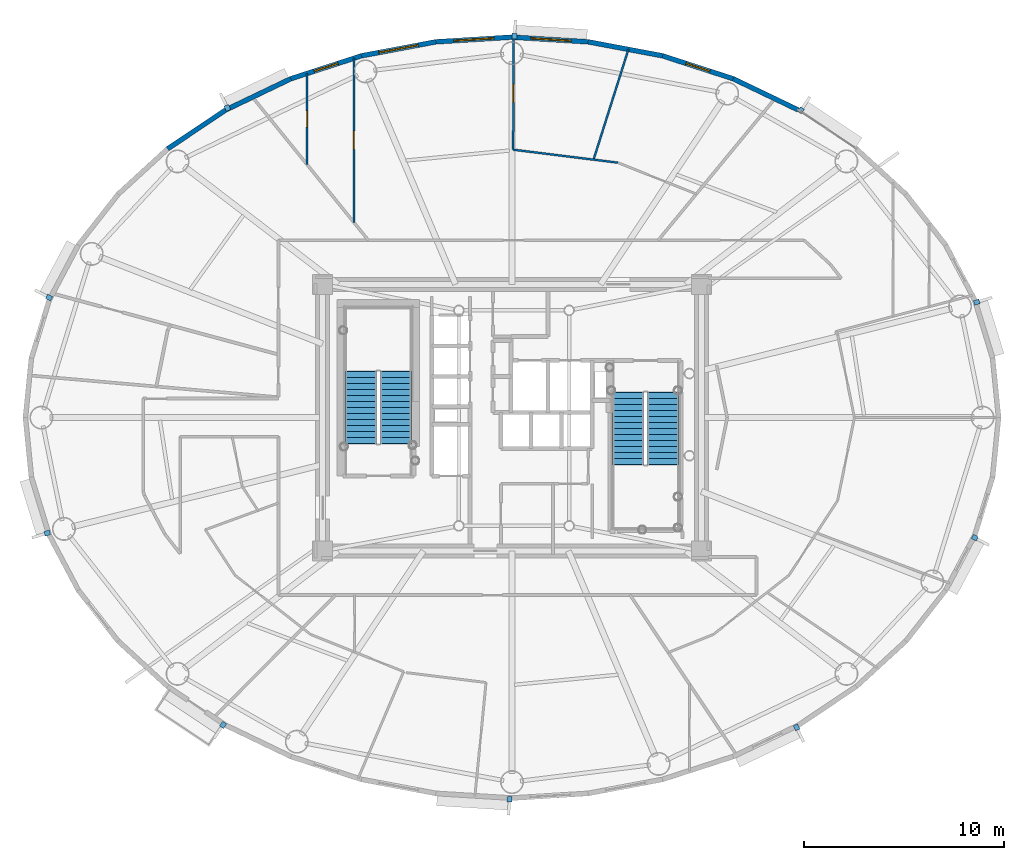
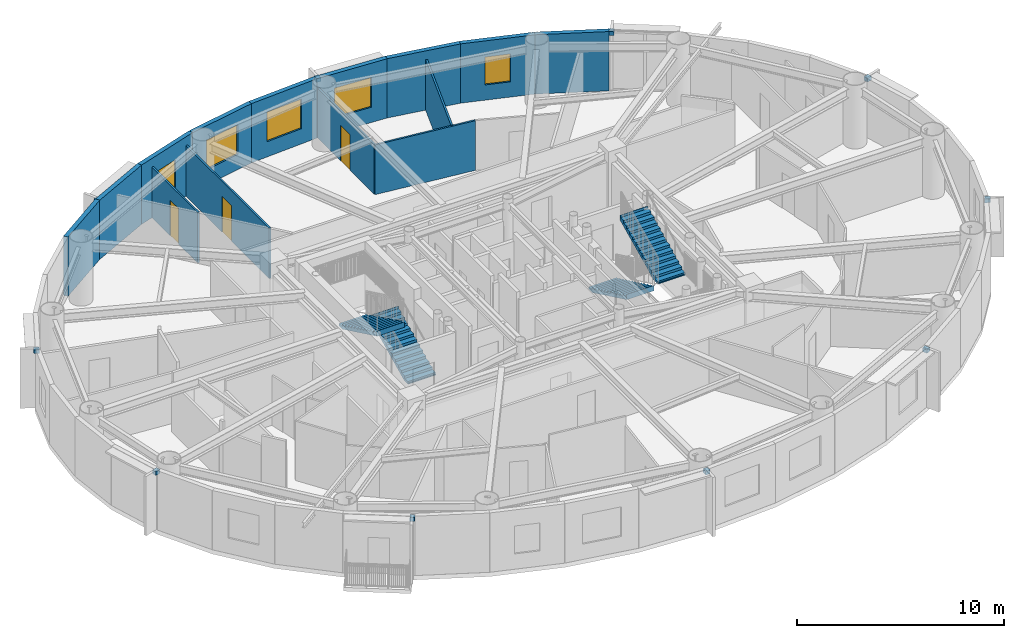
# One storey, part 11 of 18: 14 walls, 10 discrete accessories, 5 windows, 4 stair flights, 3 doors, 8 openings, 2 elements without a shape of their own.
"""IFC4 building model written with IfcOpenShell, lengths in metres."""

from ifc_helpers import new_model, si_unit, direction, frame, frame_2d, origin, origin_2d, place, context, subcontext, project, spatial, polyline, rectangle, outline, extrude, source, transform, mapped, material, layer, layer_set, type_object, element, fill, aggregate, save


model = new_model("IFC4")

# Units and contexts
model_context = context("Model", 3, precision=1e-05, world=origin(), true_north=direction((0.0, 1.0)))
body_context = subcontext(model_context, "Body", "Model", "MODEL_VIEW")
ifc_project = project(units=[si_unit("LENGTHUNIT", "METRE"), si_unit("AREAUNIT", "SQUARE_METRE"), si_unit("VOLUMEUNIT", "CUBIC_METRE"), si_unit("PLANEANGLEUNIT", "RADIAN"), si_unit("MASSUNIT", "GRAM", prefix="KILO")], contexts=[model_context])

# Site, building, storey
site_placement = place(None, origin())
site = spatial("IfcSite", under=ifc_project, at=site_placement, CompositionType="ELEMENT")
building_placement = place(site_placement, origin())
building = spatial("IfcBuilding", under=site, at=building_placement, Name="Linh Dai School and Residence Tower", CompositionType="ELEMENT")
storey_placement = place(building_placement, frame((0.0, 0.0, 244.050048828125)))
storey = spatial("IfcBuildingStorey", under=building, at=storey_placement, Name="L60", CompositionType="ELEMENT", Elevation=244.050048828125)

# Wall
ifc_material_1 = material(Name="Precast Concrete B45 (C35/45)", Category="concrete")
ifc_layer_1 = layer(ifc_material_1, 0.239990234375)
ifc_layer_set_1 = layer_set([ifc_layer_1], Name="Precast Concrete B45 (C35/45)")
wall_type_1 = type_object("IfcWallType", Name="EW-TC-240", PredefinedType="SOLIDWALL", material=ifc_layer_set_1)
wall_1_placement = place(storey_placement, frame((47.031005859375, 43.906494140625, 0.0), z_axis=(0.0, 0.0, 1.0), x_axis=(0.901598104751, -0.432574684313, 0.0)))
element("IfcWall", 1, at=wall_1_placement, inside=storey, type_object=wall_type_1, Name="L60 Terracotta Exterior Wall 07", PredefinedType="SOLIDWALL", context=body_context, shape_type="SweptSolid", body=[
    extrude(rectangle(XDim=3.603515625, YDim=0.239990234375, at=frame_2d((1.8017578125, 0.0))), origin(), (0.0, 0.0, 1.0), 3.5),
])

# Wall, opening, window
wall_2_placement = place(storey_placement, frame((43.50927734375, 45.048828125, 0.0), z_axis=(0.0, 0.0, 1.0), x_axis=(0.951210789182, -0.308541787354, 0.0)))
wall_2 = element("IfcWall", 2, at=wall_2_placement, inside=storey, type_object=wall_type_1, Name="L60 Terracotta Exterior Wall 08", PredefinedType="SOLIDWALL", context=body_context, shape_type="SweptSolid", body=[
    extrude(rectangle(XDim=3.702392578125, YDim=0.239990234375, at=frame_2d((1.85107421875, 0.0))), origin(), (0.0, 0.0, 1.0), 3.5),
])
opening_1_placement = place(wall_2_placement, frame((1.226318359375, 0.0, 0.89990234375)))
opening_1 = element("IfcOpeningElement", 3, at=opening_1_placement, cuts=wall_2, Name="Opening W3", PredefinedType="OPENING", context=body_context, shape_type="SweptSolid", body=[
    extrude(rectangle(XDim=1.25, YDim=1.64990234375, at=origin_2d()), frame((0.625, 0.1298828125, 0.824951171875), z_axis=(0.0, -1.0, 0.0), x_axis=(1.0, 0.0, 0.0)), (0.0, 0.0, 1.0), 0.260009765625),
])
ifc_material_2 = material(Name="Double Low-E Insulated Glazing", Category="glass")
window_type_1 = type_object("IfcWindowType", Name="WN-RES-1250x1650", PartitioningType="SINGLE_PANEL", PredefinedType="WINDOW", material=ifc_material_2)
shared_shape_1 = source(origin(), body_context, "Body", "SweptSolid", [
    extrude(rectangle(XDim=1.25, YDim=1.64990234375, at=origin_2d()), frame((0.625, 0.030029296875, 0.824951171875), z_axis=(0.0, -1.0, 0.0), x_axis=(1.0, 0.0, 0.0)), (0.0, 0.0, 1.0), 0.06005859375),
])
window_1_placement = place(opening_1_placement, origin())
window_1 = element("IfcWindow", 4, at=window_1_placement, inside=storey, type_object=window_type_1, Name="L60 Dwelling Window U6004-BD1", OverallHeight=1.64990234375, OverallWidth=1.25, PartitioningType="SINGLE_PANEL", PredefinedType="WINDOW", context=body_context, shape_type="MappedRepresentation", body=[
    mapped(shared_shape_1, transform((0.0, 0.0, 0.0), x_axis=(1.0, 0.0, 0.0), y_axis=(0.0, 1.0, 0.0), z_axis=(0.0, 0.0, 1.0), scale=1.0)),
])
fill(opening_1, window_1)

# Wall
wall_3_placement = place(storey_placement, frame((39.801513671875, 45.745849609375, 0.0), z_axis=(0.0, 0.0, 1.0), x_axis=(0.982784898575, -0.184753465822, 0.0)))
element("IfcWall", 5, at=wall_3_placement, inside=storey, type_object=wall_type_1, Name="L60 Terracotta Exterior Wall 09", PredefinedType="SOLIDWALL", context=body_context, shape_type="SweptSolid", body=[
    extrude(rectangle(XDim=3.772705078125, YDim=0.239990234375, at=frame_2d((1.88623046875, 0.0))), origin(), (0.0, 0.0, 1.0), 3.5),
])

# Wall, opening, window
wall_4_placement = place(storey_placement, frame((36.0, 45.97998046875, 0.0), z_axis=(0.0, 0.0, 1.0), x_axis=(0.998108785312, -0.06147237333, 0.0)))
wall_4 = element("IfcWall", 6, at=wall_4_placement, inside=storey, type_object=wall_type_1, Name="L60 Terracotta Exterior Wall 10", PredefinedType="SOLIDWALL", context=body_context, shape_type="SweptSolid", body=[
    extrude(rectangle(XDim=3.808837890625, YDim=0.239990234375, at=frame_2d((1.904296875, 0.0))), origin(), (0.0, 0.0, 1.0), 3.5),
])
opening_2_placement = place(wall_4_placement, frame((0.945556640625, 0.0, 0.89990234375)))
opening_2 = element("IfcOpeningElement", 7, at=opening_2_placement, cuts=wall_4, Name="Opening W1", PredefinedType="OPENING", context=body_context, shape_type="SweptSolid", body=[
    extrude(rectangle(XDim=2.0, YDim=1.75, at=origin_2d()), frame((1.0, 0.1298828125, 0.875), z_axis=(0.0, -1.0, 0.0), x_axis=(1.0, 0.0, 0.0)), (0.0, 0.0, 1.0), 0.260009765625),
])
window_type_2 = type_object("IfcWindowType", Name="WN-RES-2000x1750", PartitioningType="DOUBLE_PANEL_VERTICAL", PredefinedType="WINDOW", material=ifc_material_2)
shared_shape_2 = source(origin(), body_context, "Body", "SweptSolid", [
    extrude(rectangle(XDim=2.0, YDim=1.75, at=origin_2d()), frame((1.0, 0.030029296875, 0.875), z_axis=(0.0, -1.0, 0.0), x_axis=(1.0, 0.0, 0.0)), (0.0, 0.0, 1.0), 0.06005859375),
])
window_2_placement = place(opening_2_placement, origin())
window_2 = element("IfcWindow", 8, at=window_2_placement, inside=storey, type_object=window_type_2, Name="L60 Exterior Window 10.1", OverallHeight=1.75, OverallWidth=2.0, PartitioningType="DOUBLE_PANEL_VERTICAL", PredefinedType="WINDOW", context=body_context, shape_type="MappedRepresentation", body=[
    mapped(shared_shape_2, transform((0.0, 0.0, 0.0), x_axis=(1.0, 0.0, 0.0), y_axis=(0.0, 1.0, 0.0), z_axis=(0.0, 0.0, 1.0), scale=1.0)),
])
fill(opening_2, window_2)

wall_5_placement = place(storey_placement, frame((32.198486328125, 45.745849609375, 0.0), z_axis=(0.0, 0.0, 1.0), x_axis=(0.998108785312, 0.06147237333, 0.0)))
wall_5 = element("IfcWall", 9, at=wall_5_placement, inside=storey, type_object=wall_type_1, Name="L60 Terracotta Exterior Wall 11", PredefinedType="SOLIDWALL", context=body_context, shape_type="SweptSolid", body=[
    extrude(rectangle(XDim=3.808837890625, YDim=0.239990234375, at=frame_2d((1.904296875, 0.0))), origin(), (0.0, 0.0, 1.0), 3.5),
])
opening_3_placement = place(wall_5_placement, frame((0.904541015625, 0.0, 0.89990234375)))
opening_3 = element("IfcOpeningElement", 10, at=opening_3_placement, cuts=wall_5, Name="Opening W1", PredefinedType="OPENING", context=body_context, shape_type="SweptSolid", body=[
    extrude(rectangle(XDim=2.0, YDim=1.75, at=origin_2d()), frame((1.0, 0.1298828125, 0.875), z_axis=(0.0, -1.0, 0.0), x_axis=(1.0, 0.0, 0.0)), (0.0, 0.0, 1.0), 0.260009765625),
])
window_3_placement = place(opening_3_placement, origin())
window_3 = element("IfcWindow", 11, at=window_3_placement, inside=storey, type_object=window_type_2, Name="L60 Exterior Window 11.1", OverallHeight=1.75, OverallWidth=2.0, PartitioningType="DOUBLE_PANEL_VERTICAL", PredefinedType="WINDOW", context=body_context, shape_type="MappedRepresentation", body=[
    mapped(shared_shape_2, transform((0.0, 0.0, 0.0), x_axis=(1.0, 0.0, 0.0), y_axis=(0.0, 1.0, 0.0), z_axis=(0.0, 0.0, 1.0), scale=1.0)),
])
fill(opening_3, window_3)

wall_6_placement = place(storey_placement, frame((28.49072265625, 45.048828125, 0.0), z_axis=(0.0, 0.0, 1.0), x_axis=(0.982784898575, 0.184753465822, 0.0)))
wall_6 = element("IfcWall", 12, at=wall_6_placement, inside=storey, type_object=wall_type_1, Name="L60 Terracotta Exterior Wall 12", PredefinedType="SOLIDWALL", context=body_context, shape_type="SweptSolid", body=[
    extrude(rectangle(XDim=3.772705078125, YDim=0.239990234375, at=frame_2d((1.88623046875, 0.0))), origin(), (0.0, 0.0, 1.0), 3.5),
])
opening_4_placement = place(wall_6_placement, frame((0.88623046875, 0.0, 0.89990234375)))
opening_4 = element("IfcOpeningElement", 13, at=opening_4_placement, cuts=wall_6, Name="Opening W1", PredefinedType="OPENING", context=body_context, shape_type="SweptSolid", body=[
    extrude(rectangle(XDim=2.0, YDim=1.75, at=origin_2d()), frame((1.0, 0.1298828125, 0.875), z_axis=(0.0, -1.0, 0.0), x_axis=(1.0, 0.0, 0.0)), (0.0, 0.0, 1.0), 0.260009765625),
])
window_4_placement = place(opening_4_placement, origin())
window_4 = element("IfcWindow", 14, at=window_4_placement, inside=storey, type_object=window_type_2, Name="L60 Exterior Window 12.1", OverallHeight=1.75, OverallWidth=2.0, PartitioningType="DOUBLE_PANEL_VERTICAL", PredefinedType="WINDOW", context=body_context, shape_type="MappedRepresentation", body=[
    mapped(shared_shape_2, transform((0.0, 0.0, 0.0), x_axis=(1.0, 0.0, 0.0), y_axis=(0.0, 1.0, 0.0), z_axis=(0.0, 0.0, 1.0), scale=1.0)),
])
fill(opening_4, window_4)

wall_7_placement = place(storey_placement, frame((24.968994140625, 43.906494140625, 0.0), z_axis=(0.0, 0.0, 1.0), x_axis=(0.951210789182, 0.308541787354, 0.0)))
wall_7 = element("IfcWall", 15, at=wall_7_placement, inside=storey, type_object=wall_type_1, Name="L60 Terracotta Exterior Wall 13", PredefinedType="SOLIDWALL", context=body_context, shape_type="SweptSolid", body=[
    extrude(rectangle(XDim=3.702392578125, YDim=0.239990234375, at=frame_2d((1.85107421875, 0.0))), origin(), (0.0, 0.0, 1.0), 3.5),
])
opening_5_placement = place(wall_7_placement, frame((1.223388671875, 0.0, 0.89990234375)))
opening_5 = element("IfcOpeningElement", 16, at=opening_5_placement, cuts=wall_7, Name="Opening W3", PredefinedType="OPENING", context=body_context, shape_type="SweptSolid", body=[
    extrude(rectangle(XDim=1.25, YDim=1.64990234375, at=origin_2d()), frame((0.625, 0.1298828125, 0.824951171875), z_axis=(0.0, -1.0, 0.0), x_axis=(1.0, 0.0, 0.0)), (0.0, 0.0, 1.0), 0.260009765625),
])
window_5_placement = place(opening_5_placement, origin())
window_5 = element("IfcWindow", 17, at=window_5_placement, inside=storey, type_object=window_type_1, Name="L60 Exterior Window 13.1", OverallHeight=1.64990234375, OverallWidth=1.25, PartitioningType="SINGLE_PANEL", PredefinedType="WINDOW", context=body_context, shape_type="MappedRepresentation", body=[
    mapped(shared_shape_1, transform((0.0, 0.0, 0.0), x_axis=(1.0, 0.0, 0.0), y_axis=(0.0, 1.0, 0.0), z_axis=(0.0, 0.0, 1.0), scale=1.0)),
])
fill(opening_5, window_5)

# Walls
wall_8_placement = place(storey_placement, frame((21.719970703125, 42.34765625, 0.0), z_axis=(0.0, 0.0, 1.0), x_axis=(0.901598104751, 0.432574684313, 0.0)))
element("IfcWall", 18, at=wall_8_placement, inside=storey, type_object=wall_type_1, Name="L60 Terracotta Exterior Wall 14", PredefinedType="SOLIDWALL", context=body_context, shape_type="SweptSolid", body=[
    extrude(rectangle(XDim=3.603515625, YDim=0.239990234375, at=frame_2d((1.8017578125, 0.0))), origin(), (0.0, 0.0, 1.0), 3.5),
])
wall_9_placement = place(storey_placement, frame((18.82373046875, 40.410888671875, 0.0), z_axis=(0.0, 0.0, 1.0), x_axis=(0.831262496074, 0.555880079352, 0.0)))
element("IfcWall", 19, at=wall_9_placement, inside=storey, type_object=wall_type_1, Name="L60 Terracotta Exterior Wall 15", PredefinedType="SOLIDWALL", context=body_context, shape_type="SweptSolid", body=[
    extrude(rectangle(XDim=3.484130859375, YDim=0.239990234375, at=frame_2d((1.7421875, 0.0))), origin(), (0.0, 0.0, 1.0), 3.5),
])

# Wall, opening, door
ifc_material_3 = material(Name="Gypsum Plasterboard Acoustic Stud Partition", Category="masonry")
ifc_layer_2 = layer(ifc_material_3, 0.10009765625)
ifc_layer_set_2 = layer_set([ifc_layer_2], Name="Gypsum Plasterboard Acoustic Stud Partition")
wall_type_2 = type_object("IfcWallType", Name="IW-UNIT-100", PredefinedType="PARTITIONING", material=ifc_layer_set_2)
wall_10_placement = place(storey_placement, frame((25.78173828125, 39.61865234375, 0.0), z_axis=(0.0, 0.0, 1.0), x_axis=(0.0, 1.0, 0.0)))
wall_10 = element("IfcWall", 20, at=wall_10_placement, inside=storey, type_object=wall_type_2, Name="L60 Interior Partition Wall 023", PredefinedType="PARTITIONING", context=body_context, shape_type="SweptSolid", body=[
    extrude(rectangle(XDim=4.556640625, YDim=0.10009765625, at=frame_2d((2.2783203125, 0.0))), origin(), (0.0, 0.0, 1.0), 2.98486328125),
])
opening_6_placement = place(wall_10_placement, frame((1.868408203125, 0.0, 0.0)))
opening_6 = element("IfcOpeningElement", 21, at=opening_6_placement, cuts=wall_10, Name="Opening D06", PredefinedType="OPENING", context=body_context, shape_type="SweptSolid", body=[
    extrude(rectangle(XDim=0.820068359375, YDim=2.10009765625, at=origin_2d()), frame((0.41015625, 0.06005859375, 1.050048828125), z_axis=(0.0, -1.0, 0.0), x_axis=(1.0, 0.0, 0.0)), (0.0, 0.0, 1.0), 0.1201171875),
])
ifc_material_4 = material(Name="Moisture-Resistant Timber Bathroom Door", Category="wood")
door_type_1 = type_object("IfcDoorType", Name="DR-WET-820x2100", OperationType="NOTDEFINED", PredefinedType="DOOR", material=ifc_material_4)
shared_shape_3 = source(origin(), body_context, "Body", "SweptSolid", [
    extrude(rectangle(XDim=0.820068359375, YDim=2.10009765625, at=origin_2d()), frame((0.41015625, 0.02490234375, 1.050048828125), z_axis=(0.0, -1.0, 0.0), x_axis=(1.0, 0.0, 0.0)), (0.0, 0.0, 1.0), 0.050048828125),
])
door_1_placement = place(opening_6_placement, origin())
door_1 = element("IfcDoor", 22, at=door_1_placement, inside=storey, type_object=door_type_1, Name="L60 Apartment U6004 Bathroom 1 Door", OperationType="SINGLE_SWING_RIGHT", OverallHeight=2.10009765625, OverallWidth=0.820068359375, PredefinedType="DOOR", context=body_context, shape_type="MappedRepresentation", body=[
    mapped(shared_shape_3, transform((0.0, 0.0, 0.0), x_axis=(1.0, 0.0, 0.0), y_axis=(0.0, 1.0, 0.0), z_axis=(0.0, 0.0, 1.0), scale=1.0)),
])
fill(opening_6, door_1)

wall_11_placement = place(storey_placement, frame((28.111328125, 36.74169921875, 0.0), z_axis=(0.0, 0.0, 1.0), x_axis=(0.0, 1.0, 0.0)))
wall_11 = element("IfcWall", 23, at=wall_11_placement, inside=storey, type_object=wall_type_2, Name="L60 Interior Partition Wall 026", PredefinedType="PARTITIONING", context=body_context, shape_type="SweptSolid", body=[
    extrude(rectangle(XDim=8.189208984375, YDim=0.10009765625, at=frame_2d((4.0947265625, 0.0))), origin(), (0.0, 0.0, 1.0), 2.98486328125),
])
opening_7_placement = place(wall_11_placement, frame((3.644775390625, 0.0, 0.0)))
opening_7 = element("IfcOpeningElement", 24, at=opening_7_placement, cuts=wall_11, Name="Opening D05", PredefinedType="OPENING", context=body_context, shape_type="SweptSolid", body=[
    extrude(rectangle(XDim=0.89990234375, YDim=2.10009765625, at=origin_2d()), frame((0.449951171875, 0.06005859375, 1.050048828125), z_axis=(0.0, -1.0, 0.0), x_axis=(1.0, 0.0, 0.0)), (0.0, 0.0, 1.0), 0.1201171875),
])
ifc_material_5 = material(Name="Engineered Timber Internal Door", Category="wood")
door_type_2 = type_object("IfcDoorType", Name="DR-INT-900x2100", OperationType="NOTDEFINED", PredefinedType="DOOR", material=ifc_material_5)
shared_shape_4 = source(origin(), body_context, "Body", "SweptSolid", [
    extrude(rectangle(XDim=0.89990234375, YDim=2.10009765625, at=origin_2d()), frame((0.449951171875, 0.02490234375, 1.050048828125), z_axis=(0.0, -1.0, 0.0), x_axis=(1.0, 0.0, 0.0)), (0.0, 0.0, 1.0), 0.050048828125),
])
door_2_placement = place(opening_7_placement, origin())
door_2 = element("IfcDoor", 25, at=door_2_placement, inside=storey, type_object=door_type_2, Name="L60 Apartment U6004 Kitchen Door", OperationType="SINGLE_SWING_LEFT", OverallHeight=2.10009765625, OverallWidth=0.89990234375, PredefinedType="DOOR", context=body_context, shape_type="MappedRepresentation", body=[
    mapped(shared_shape_4, transform((0.0, 0.0, 0.0), x_axis=(1.0, 0.0, 0.0), y_axis=(0.0, 1.0, 0.0), z_axis=(0.0, 0.0, 1.0), scale=1.0)),
])
fill(opening_7, door_2)

wall_12_placement = place(storey_placement, frame((36.058349609375, 40.3662109375, 0.0), z_axis=(0.0, 0.0, 1.0), x_axis=(0.004348919472, 0.999990543405, 0.0)))
wall_12 = element("IfcWall", 26, at=wall_12_placement, inside=storey, type_object=wall_type_2, Name="L60 Interior Partition Wall 052", PredefinedType="PARTITIONING", context=body_context, shape_type="SweptSolid", body=[
    extrude(rectangle(XDim=5.61376953125, YDim=0.10009765625, at=frame_2d((2.806884765625, 0.0))), origin(), (0.0, 0.0, 1.0), 2.93505859375),
])
opening_8_placement = place(wall_12_placement, frame((2.356689453125, 0.0, 0.0)))
opening_8 = element("IfcOpeningElement", 27, at=opening_8_placement, cuts=wall_12, Name="Opening D05", PredefinedType="OPENING", context=body_context, shape_type="SweptSolid", body=[
    extrude(rectangle(XDim=0.89990234375, YDim=2.10009765625, at=origin_2d()), frame((0.449951171875, 0.06005859375, 1.050048828125), z_axis=(0.0, -1.0, 0.0), x_axis=(1.0, 0.0, 0.0)), (0.0, 0.0, 1.0), 0.1201171875),
])
door_3_placement = place(opening_8_placement, origin())
door_3 = element("IfcDoor", 28, at=door_3_placement, inside=storey, type_object=door_type_2, Name="L60 Apartment U6004 Study Door", OperationType="SINGLE_SWING_RIGHT", OverallHeight=2.10009765625, OverallWidth=0.89990234375, PredefinedType="DOOR", context=body_context, shape_type="MappedRepresentation", body=[
    mapped(shared_shape_4, transform((0.0, 0.0, 0.0), x_axis=(1.0, 0.0, 0.0), y_axis=(0.0, 1.0, 0.0), z_axis=(0.0, 0.0, 1.0), scale=1.0)),
])
fill(opening_8, door_3)

# Walls
wall_13_placement = place(storey_placement, frame((36.058349609375, 40.3662109375, 0.0), z_axis=(0.0, 0.0, 1.0), x_axis=(0.9924002173, -0.123052056879, 0.0)))
element("IfcWall", 29, at=wall_13_placement, inside=storey, type_object=wall_type_2, Name="L60 Interior Partition Wall 053", PredefinedType="PARTITIONING", context=body_context, shape_type="SweptSolid", body=[
    extrude(rectangle(XDim=5.259765625, YDim=0.10009765625, at=frame_2d((2.6298828125, 0.0))), origin(), (0.0, 0.0, 1.0), 2.93505859375),
])
wall_14_placement = place(storey_placement, frame((40.06787109375, 39.868896484375, 0.0), z_axis=(0.0, 0.0, 1.0), x_axis=(0.301434937635, 0.953486747875, 0.0)))
element("IfcWall", 30, at=wall_14_placement, inside=storey, type_object=wall_type_2, Name="L60 Interior Partition Wall 062", PredefinedType="PARTITIONING", context=body_context, shape_type="SweptSolid", body=[
    extrude(rectangle(XDim=5.773193359375, YDim=0.10009765625, at=frame_2d((2.88671875, 0.0))), origin(), (0.0, 0.0, 1.0), 2.98486328125),
])

# Stair, stair flights
ifc_material_6 = material(Name="Concrete B45 (C35/45)", Category="concrete")
stair_type = type_object("IfcStairType", Name="ST-DOG-1550-R1442", PredefinedType="HALF_TURN_STAIR", material=ifc_material_6)
stair_1_placement = place(storey_placement, origin())
stair_1 = element("IfcStair", 31, at=stair_1_placement, inside=storey, type_object=stair_type, Name="L60 Core Smokeproof Exit Stair ST1", PredefinedType="HALF_TURN_STAIR")
stair_flight_type = type_object("IfcStairFlightType", Name="STF-STR-1550-R1442", PredefinedType="STRAIGHT", material=ifc_material_6)
shared_shape_5 = source(origin(), body_context, "Body", "SweptSolid", [
    extrude(outline(polyline([(-0.02490234375, 0.0), (-0.02490234375, 0.06005859375), (0.0, 0.06005859375), (0.0, 0.144287109375), (0.300048828125, 0.144287109375), (0.300048828125, 0.28857421875), (0.60009765625, 0.28857421875), (0.60009765625, 0.4326171875), (0.89990234375, 0.4326171875), (0.89990234375, 0.576904296875), (1.199951171875, 0.576904296875), (1.199951171875, 0.72119140625), (1.5, 0.72119140625), (1.5, 0.865478515625), (1.800048828125, 0.865478515625), (1.800048828125, 1.009521484375), (2.10009765625, 1.009521484375), (2.10009765625, 1.15380859375), (2.39990234375, 1.15380859375), (2.39990234375, 1.298095703125), (2.699951171875, 1.298095703125), (2.699951171875, 1.4423828125), (3.0, 1.4423828125), (3.0, 1.58642578125), (3.300048828125, 1.58642578125), (3.300048828125, 1.730712890625), (3.60009765625, 1.730712890625), (3.60009765625, 1.875), (3.625, 1.875), (3.625, 1.564453125), (3.60009765625, 1.564453125), (0.345947265625, 0.0), (-0.02490234375, 0.0)])), frame((0.0, 0.77490234375, 0.0), z_axis=(0.0, -1.0, 0.0), x_axis=(1.0, 0.0, 0.0)), (0.0, 0.0, 1.0), 1.550048828125),
])
stair_flight_1_placement = place(storey_placement, frame((30.205078125, 25.699951171875, 0.0), z_axis=(0.0, 0.0, 1.0), x_axis=(0.0, 1.0, 0.0)))
stair_flight_1 = element("IfcStairFlight", 32, at=stair_flight_1_placement, type_object=stair_flight_type, Name="ST1 flight 1", NumberOfRisers=13, NumberOfTreads=12, PredefinedType="STRAIGHT", RiserHeight=0.144230769, TreadLength=0.3, context=body_context, shape_type="MappedRepresentation", body=[
    mapped(shared_shape_5, transform((0.0, 0.0, 0.0), x_axis=(1.0, 0.0, 0.0), y_axis=(0.0, 1.0, 0.0), z_axis=(0.0, 0.0, 1.0), scale=1.0)),
])
stair_flight_2_placement = place(storey_placement, frame((28.455078125, 29.300048828125, 1.875), z_axis=(0.0, 0.0, 1.0), x_axis=(0.0, -1.0, 0.0)))
stair_flight_2 = element("IfcStairFlight", 33, at=stair_flight_2_placement, type_object=stair_flight_type, Name="ST1 flight 2", NumberOfRisers=13, NumberOfTreads=12, PredefinedType="STRAIGHT", RiserHeight=0.144230769, TreadLength=0.3, context=body_context, shape_type="MappedRepresentation", body=[
    mapped(shared_shape_5, transform((0.0, 0.0, 0.0), x_axis=(1.0, 0.0, 0.0), y_axis=(0.0, 1.0, 0.0), z_axis=(0.0, 0.0, 1.0), scale=1.0)),
])
aggregate(stair_1, [stair_flight_1, stair_flight_2])

stair_2_placement = place(storey_placement, origin())
stair_2 = element("IfcStair", 34, at=stair_2_placement, inside=storey, type_object=stair_type, Name="L60 Core Smokeproof Exit Stair ST2", PredefinedType="HALF_TURN_STAIR")
stair_flight_3_placement = place(storey_placement, frame((41.794921875, 28.25, 0.0), z_axis=(0.0, 0.0, 1.0), x_axis=(0.0, -1.0, 0.0)))
stair_flight_3 = element("IfcStairFlight", 35, at=stair_flight_3_placement, type_object=stair_flight_type, Name="ST2 flight 1", NumberOfRisers=13, NumberOfTreads=12, PredefinedType="STRAIGHT", RiserHeight=0.144230769, TreadLength=0.3, context=body_context, shape_type="MappedRepresentation", body=[
    mapped(shared_shape_5, transform((0.0, 0.0, 0.0), x_axis=(1.0, 0.0, 0.0), y_axis=(0.0, 1.0, 0.0), z_axis=(0.0, 0.0, 1.0), scale=1.0)),
])
stair_flight_4_placement = place(storey_placement, frame((43.544921875, 24.64990234375, 1.875), z_axis=(0.0, 0.0, 1.0), x_axis=(0.0, 1.0, 0.0)))
stair_flight_4 = element("IfcStairFlight", 36, at=stair_flight_4_placement, type_object=stair_flight_type, Name="ST2 flight 2", NumberOfRisers=13, NumberOfTreads=12, PredefinedType="STRAIGHT", RiserHeight=0.144230769, TreadLength=0.3, context=body_context, shape_type="MappedRepresentation", body=[
    mapped(shared_shape_5, transform((0.0, 0.0, 0.0), x_axis=(1.0, 0.0, 0.0), y_axis=(0.0, 1.0, 0.0), z_axis=(0.0, 0.0, 1.0), scale=1.0)),
])
aggregate(stair_2, [stair_flight_3, stair_flight_4])

# Discrete accessories
ifc_material_7 = material(Name="Structural Steel S355JR", Category="steel")
discrete_accessory_type = type_object("IfcDiscreteAccessoryType", Name="ACC-BRK-S355", PredefinedType="BRACKET", material=ifc_material_7)
shared_shape_6 = source(origin(), body_context, "Body", "SweptSolid", [
    extrude(rectangle(XDim=0.280029296875, YDim=0.239990234375, at=origin_2d()), origin(), (0.0, 0.0, 1.0), 0.219970703125),
])
for number, where, z_axis, x_axis, name in (
    (37, (59.182861328125, 32.7587890625, 3.25), (0.0, 0.0, 1.0), (0.956064190994, 0.2931574026, 0.0), "L60 Facade Frame Anchor Bracket 02"),
    (38, (50.413330078125, 42.330810546875, 3.25), (0.0, 0.0, 1.0), (0.555887222025, 0.831257719597, 0.0), "L60 Facade Frame Anchor Bracket 06"),
    (39, (36.12353515625, 46.032470703125, 3.25), (0.0, 0.0, 1.0), (0.061504437922, 0.998106809974, 0.0), "L60 Facade Frame Anchor Bracket 10"),
    (40, (21.802001953125, 42.45361328125, 3.25), (0.0, 0.0, 1.0), (-0.432593941973, 0.901588864931, 0.0), "L60 Facade Frame Anchor Bracket 14"),
    (41, (12.912841796875, 32.989990234375, 3.25), (0.0, 0.0, 1.0), (-0.883928950783, 0.467621224891, 0.0), "L60 Facade Frame Anchor Bracket 18"),
    (42, (12.817138671875, 21.2412109375, 3.25), (0.0, 0.0, 1.0), (-0.956064190994, -0.2931574026, 0.0), "L60 Facade Frame Anchor Bracket 22"),
    (43, (21.586669921875, 11.669189453125, 3.25), (0.0, 0.0, 1.0), (-0.555887222025, -0.831257719597, 0.0), "L60 Facade Frame Anchor Bracket 26"),
    (44, (35.87646484375, 7.967529296875, 3.25), (0.0, 0.0, 1.0), (-0.061504437922, -0.998106809974, 0.0), "L60 Facade Frame Anchor Bracket 30"),
    (45, (50.197998046875, 11.54638671875, 3.25), (0.0, 0.0, 1.0), (0.432593941973, -0.901588864931, 0.0), "L60 Facade Frame Anchor Bracket 34"),
    (46, (59.087158203125, 21.010009765625, 3.25), (0.0, 0.0, 1.0), (0.883928950783, -0.467621224891, 0.0), "L60 Facade Frame Anchor Bracket 38"),
):
    element("IfcDiscreteAccessory", number, at=place(storey_placement, frame(where, z_axis=z_axis, x_axis=x_axis)), inside=storey, type_object=discrete_accessory_type, Name=name, PredefinedType="BRACKET", context=body_context, shape_type="MappedRepresentation", body=[
        mapped(shared_shape_6, transform((0.0, 0.0, 0.0), x_axis=(1.0, 0.0, 0.0), y_axis=(0.0, 1.0, 0.0), z_axis=(0.0, 0.0, 1.0), scale=1.0)),
    ])

save(model, "model.ifc")
